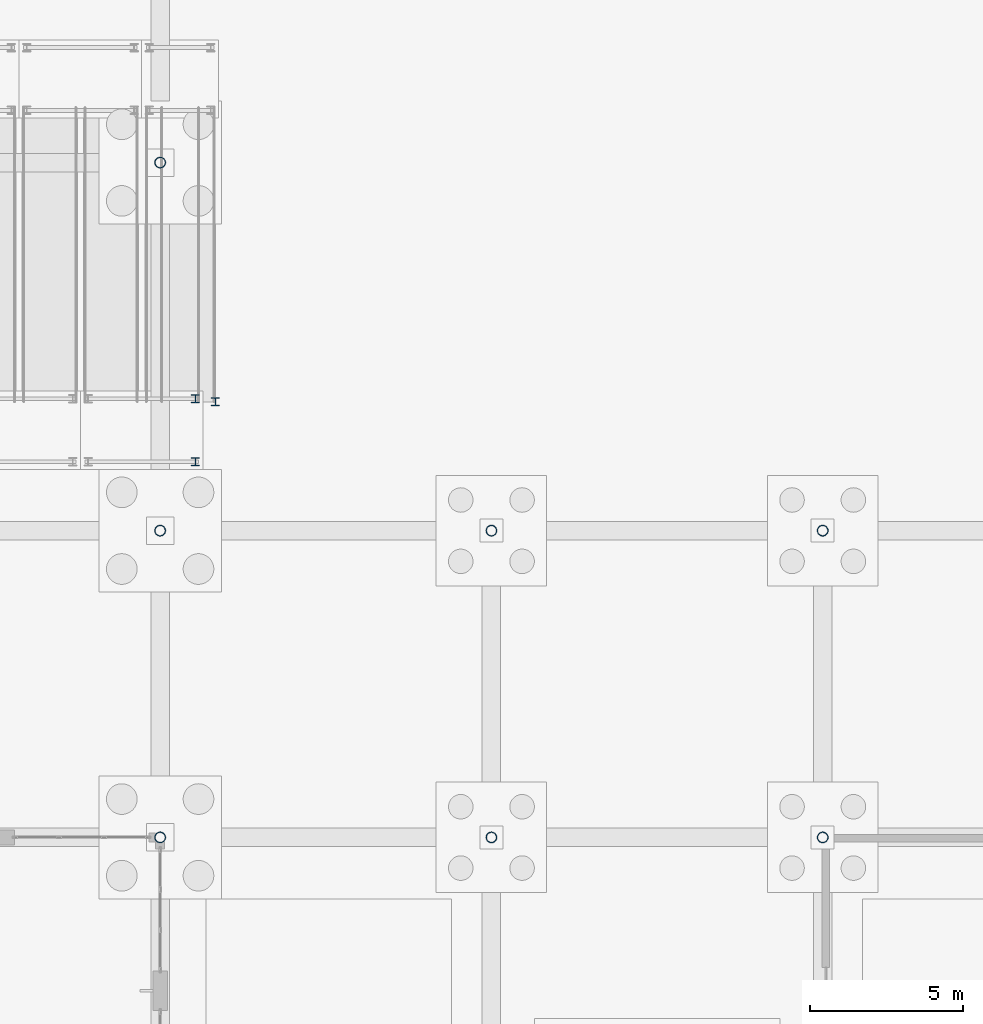
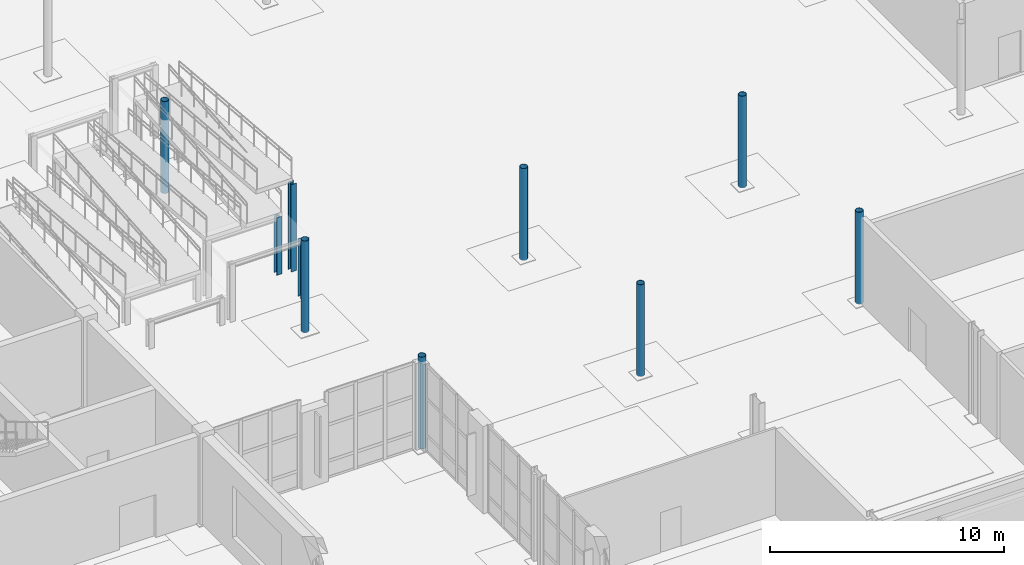
# One storey, part 13 of 73: 10 columns.
"""IFC4 building model written with IfcOpenShell, lengths in metres."""

from ifc_helpers import new_model, si_unit, direction, frame, origin, origin_2d, place, context, subcontext, project, spatial, hollow_circle, i_section, extrude, material, material_profile, profile_set, type_object, element, save


model = new_model("IFC4")

# Units and contexts
model_context = context("Model", 3, precision=1e-05, world=origin(), true_north=direction((0.0, 1.0)))
body_context = subcontext(model_context, "Body", "Model", "MODEL_VIEW")
ifc_project = project(units=[si_unit("LENGTHUNIT", "METRE"), si_unit("AREAUNIT", "SQUARE_METRE"), si_unit("VOLUMEUNIT", "CUBIC_METRE"), si_unit("PLANEANGLEUNIT", "RADIAN"), si_unit("MASSUNIT", "GRAM", prefix="KILO")], contexts=[model_context])

# Site, building, storey
site_placement = place(None, origin())
site = spatial("IfcSite", under=ifc_project, at=site_placement, CompositionType="ELEMENT")
building_placement = place(site_placement, origin())
building = spatial("IfcBuilding", under=site, at=building_placement, Name="Tasgan Crest Museum", CompositionType="ELEMENT")
storey_placement = place(building_placement, origin())
storey = spatial("IfcBuildingStorey", under=building, at=storey_placement, Name="L00", CompositionType="ELEMENT", Elevation=0.0)

# Columns
ifc_material_1 = material(Name="Steel S355K2", Category="steel")
ifc_material_profile_1 = material_profile(ifc_material_1, hollow_circle(Radius=0.177734375, WallThickness=0.01611328125, at=origin_2d()), Name="CHS 355.6x16")
ifc_profile_set_1 = profile_set([ifc_material_profile_1], Name="Steel S355K2")
column_type_1 = type_object("IfcColumnType", Name="COL-CHS355", PredefinedType="COLUMN", material=ifc_profile_set_1)
for number, where, z_axis, x_axis, name in (
    (1, (64.800048828125, 40.0, 0.0), (0.0, 0.0, 1.0), (1.0, 0.0, 0.0), "Column 7/E L00"),
    (2, (64.800048828125, 50.0, 0.0), (0.0, 0.0, 1.0), (1.0, 0.0, 0.0), "Column 7/F L00"),
    (3, (64.800048828125, 62.0, 0.0), (0.0, 0.0, 1.0), (1.0, 0.0, 0.0), "Column 7/G L00"),
    (4, (75.60009765625, 40.0, 0.0), (0.0, 0.0, 1.0), (1.0, 0.0, 0.0), "Column 8/E L00"),
    (5, (75.60009765625, 50.0, 0.0), (0.0, 0.0, 1.0), (1.0, 0.0, 0.0), "Column 8/F L00"),
    (6, (86.39990234375, 40.0, 0.0), (0.0, 0.0, 1.0), (1.0, 0.0, 0.0), "Column 9/E L00"),
    (7, (86.39990234375, 50.0, 0.0), (0.0, 0.0, 1.0), (1.0, 0.0, 0.0), "Column 9/F L00"),
):
    element("IfcColumn", number, at=place(storey_placement, frame(where, z_axis=z_axis, x_axis=x_axis)), inside=storey, type_object=column_type_1, Name=name, PredefinedType="COLUMN", context=body_context, shape_type="SweptSolid", body=[
        extrude(hollow_circle(Radius=0.177734375, WallThickness=0.01611328125, at=origin_2d()), origin(), (0.0, 0.0, 1.0), 4.800048828125),
    ])
ifc_material_2 = material(Name="Steel S355J2", Category="steel")
ifc_material_profile_2 = material_profile(ifc_material_2, i_section(OverallWidth=0.260009765625, OverallDepth=0.260009765625, WebThickness=0.010009765625, FlangeThickness=0.017578125, FilletRadius=0.02392578125, at=origin_2d()), Name="HEB 260")
ifc_profile_set_2 = profile_set([ifc_material_profile_2], Name="Steel S355J2")
column_type_2 = type_object("IfcColumnType", Name="COL-RAMP-HEB260", PredefinedType="COLUMN", material=ifc_profile_set_2)
for number, where, z_axis, x_axis, name in (
    (8, (65.949951171875, 52.25, 0.0), (0.0, 0.0, 1.0), (1.0, 0.0, 0.0), "Ramp landing post 4"),
    (9, (65.949951171875, 54.300048828125, 0.0), (0.0, 0.0, 1.0), (1.0, 0.0, 0.0), "Ramp landing post 4"),
):
    element("IfcColumn", number, at=place(storey_placement, frame(where, z_axis=z_axis, x_axis=x_axis)), inside=storey, type_object=column_type_2, Name=name, PredefinedType="COLUMN", context=body_context, shape_type="SweptSolid", body=[
        extrude(i_section(OverallWidth=0.260009765625, OverallDepth=0.260009765625, WebThickness=0.010009765625, FlangeThickness=0.017578125, FilletRadius=0.02392578125, at=origin_2d()), origin(), (0.0, 0.0, 1.0), 3.0),
    ])
column_placement = place(storey_placement, frame((66.60009765625, 54.199951171875, 0.0), z_axis=(0.0, 0.0, 1.0), x_axis=(1.0, 0.0, 0.0)))
element("IfcColumn", 10, at=column_placement, inside=storey, type_object=column_type_2, Name="Ramp top arrival post", PredefinedType="COLUMN", context=body_context, shape_type="SweptSolid", body=[
    extrude(i_section(OverallWidth=0.260009765625, OverallDepth=0.260009765625, WebThickness=0.010009765625, FlangeThickness=0.017578125, FilletRadius=0.02392578125, at=origin_2d()), origin(), (0.0, 0.0, 1.0), 4.56005859375),
])

save(model, "model.ifc")
